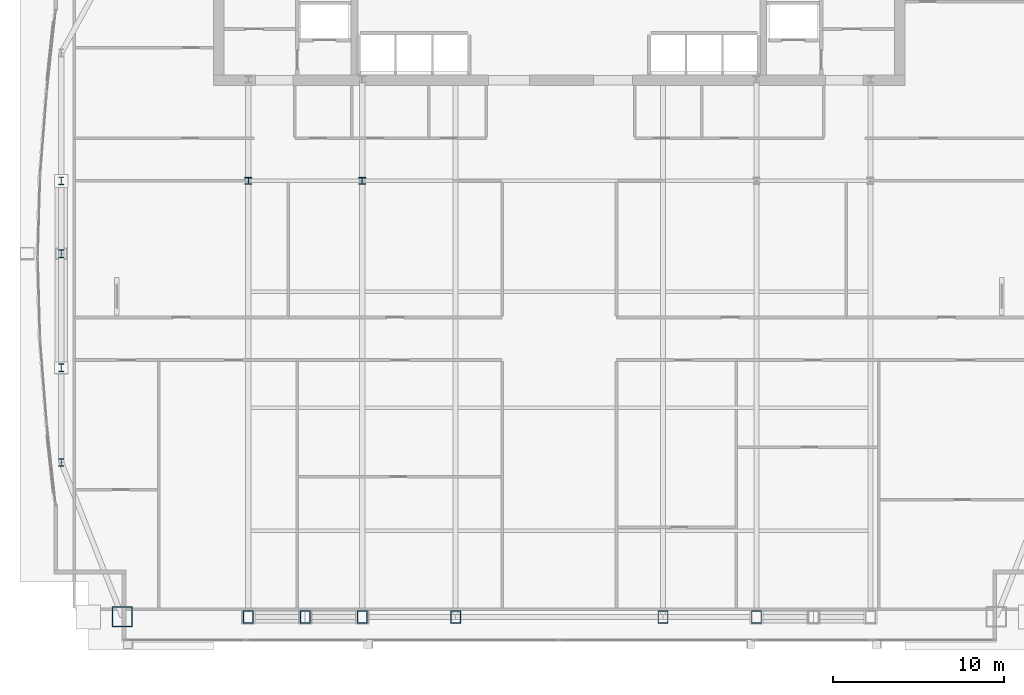
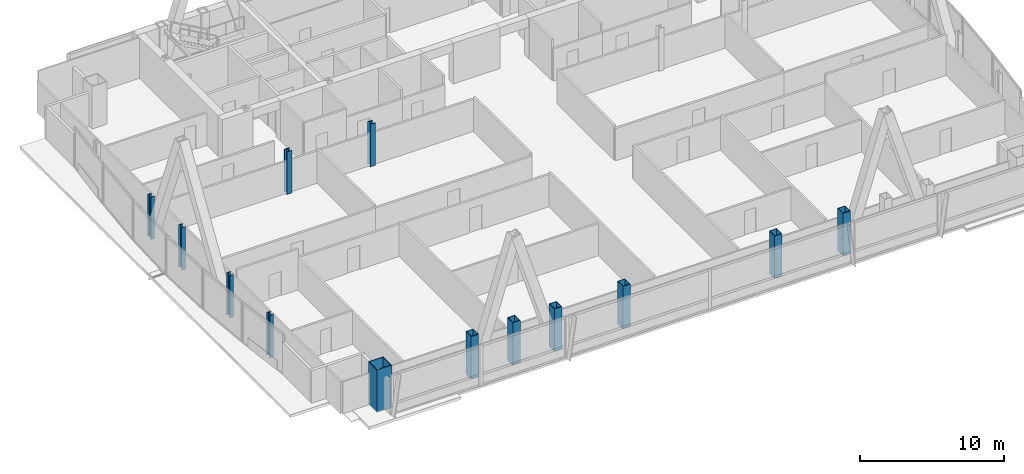
# One storey, part 1 of 32: 13 columns.
"""IFC4 building model written with IfcOpenShell, lengths in metres."""

from ifc_helpers import new_model, si_unit, direction, frame, origin, origin_2d, place, context, subcontext, project, spatial, hollow_rectangle, i_section, extrude, material, material_profile, profile_set, type_object, element, save


model = new_model("IFC4")

# Units and contexts
model_context = context("Model", 3, precision=1e-05, world=origin(), true_north=direction((0.0, 1.0)))
body_context = subcontext(model_context, "Body", "Model", "MODEL_VIEW")
ifc_project = project(units=[si_unit("LENGTHUNIT", "METRE"), si_unit("AREAUNIT", "SQUARE_METRE"), si_unit("VOLUMEUNIT", "CUBIC_METRE"), si_unit("PLANEANGLEUNIT", "RADIAN"), si_unit("MASSUNIT", "GRAM", prefix="KILO")], contexts=[model_context])

# Site, building, storey
site_placement = place(None, origin())
site = spatial("IfcSite", under=ifc_project, at=site_placement, CompositionType="ELEMENT")
building_placement = place(site_placement, origin())
building = spatial("IfcBuilding", under=site, at=building_placement, Name="Khoronbel Lancet Exchange", CompositionType="ELEMENT")
storey_placement = place(building_placement, frame((0.0, 0.0, 188.60009765625)))
storey = spatial("IfcBuildingStorey", under=building, at=storey_placement, Name="L47", CompositionType="ELEMENT", Elevation=188.60009765625)

# Columns
ifc_material_1 = material(Name="Steel S460", Category="steel")
ifc_material_profile_1 = material_profile(ifc_material_1, hollow_rectangle(XDim=0.60009765625, YDim=0.75, WallThickness=0.044921875, at=origin_2d()), Name="BOX 750x600x45")
ifc_profile_set_1 = profile_set([ifc_material_profile_1], Name="Steel S460")
column_type_1 = type_object("IfcColumnType", Name="COL-EC3", PredefinedType="COLUMN", material=ifc_profile_set_1)
for number, where, z_axis, x_axis, name in (
    (1, (18.22509765625, 10.14990234375, 0.0), (0.0, 0.0, 1.0), (1.0, 0.0, 0.0), "Structural column SC-W1 L47"),
    (2, (21.5625, 10.14990234375, 0.0), (0.0, 0.0, 1.0), (1.0, 0.0, 0.0), "Structural column SC-WM L47"),
    (3, (24.89990234375, 10.14990234375, 0.0), (0.0, 0.0, 1.0), (1.0, 0.0, 0.0), "Structural column SC-W2 L47"),
    (4, (30.375, 10.14990234375, 0.0), (0.0, 0.0, 1.0), (1.0, 0.0, 0.0), "Structural column SC-C1 L47"),
    (5, (42.52490234375, 10.14990234375, 0.0), (0.0, 0.0, 1.0), (1.0, 0.0, 0.0), "Structural column SC-C2 L47"),
    (6, (48.0, 10.14990234375, 0.0), (0.0, 0.0, 1.0), (1.0, 0.0, 0.0), "Structural column SC-E1 L47"),
):
    element("IfcColumn", number, at=place(storey_placement, frame(where, z_axis=z_axis, x_axis=x_axis)), inside=storey, type_object=column_type_1, Name=name, PredefinedType="COLUMN", context=body_context, shape_type="SweptSolid", body=[
        extrude(hollow_rectangle(XDim=0.60009765625, YDim=0.75, WallThickness=0.044921875, at=origin_2d()), origin(), (0.0, 0.0, 1.0), 3.599853515625),
    ])
ifc_material_2 = material(Name="Steel S355", Category="steel")
ifc_material_profile_2 = material_profile(ifc_material_2, i_section(OverallWidth=0.406005859375, OverallDepth=0.416015625, WebThickness=0.02978515625, FlangeThickness=0.048095703125, at=origin_2d()), Name="HD 400x382")
ifc_profile_set_2 = profile_set([ifc_material_profile_2], Name="Steel S355")
column_type_2 = type_object("IfcColumnType", Name="COL-IC3", PredefinedType="COLUMN", material=ifc_profile_set_2)
for number, where, z_axis, x_axis, name in (
    (7, (18.22509765625, 35.699951171875, 0.0), (0.0, 0.0, 1.0), (1.0, 0.0, 0.0), "Spine gravity column TC1 L47"),
    (8, (24.89990234375, 35.699951171875, 0.0), (0.0, 0.0, 1.0), (1.0, 0.0, 0.0), "Spine gravity column TC2 L47"),
):
    element("IfcColumn", number, at=place(storey_placement, frame(where, z_axis=z_axis, x_axis=x_axis)), inside=storey, type_object=column_type_2, Name=name, PredefinedType="COLUMN", context=body_context, shape_type="SweptSolid", body=[
        extrude(i_section(OverallWidth=0.406005859375, OverallDepth=0.416015625, WebThickness=0.02978515625, FlangeThickness=0.048095703125, at=origin_2d()), origin(), (0.0, 0.0, 1.0), 3.599853515625),
    ])
ifc_material_profile_3 = material_profile(ifc_material_2, i_section(OverallWidth=0.300048828125, OverallDepth=0.449951171875, WebThickness=0.013916015625, FlangeThickness=0.02587890625, at=origin_2d()), Name="HEB 450")
ifc_profile_set_3 = profile_set([ifc_material_profile_3], Name="Steel S355")
column_type_3 = type_object("IfcColumnType", Name="COL-LC2", PredefinedType="COLUMN", material=ifc_profile_set_3)
for number, where, z_axis, x_axis, name in (
    (9, (7.27001953125, 19.199951171875, 0.0), (0.0, 0.0, 1.0), (1.0, 0.0, 0.0), "Structural column WC-1 L47"),
    (10, (7.27001953125, 24.75, 0.0), (0.0, 0.0, 1.0), (1.0, 0.0, 0.0), "Structural column WC-2 L47"),
    (11, (7.27001953125, 31.425048828125, 0.0), (0.0, 0.0, 1.0), (1.0, 0.0, 0.0), "Structural column WC-M L47"),
    (12, (7.27001953125, 35.699951171875, 0.0), (0.0, 0.0, 1.0), (1.0, 0.0, 0.0), "Structural column WC-3 L47"),
):
    element("IfcColumn", number, at=place(storey_placement, frame(where, z_axis=z_axis, x_axis=x_axis)), inside=storey, type_object=column_type_3, Name=name, PredefinedType="COLUMN", context=body_context, shape_type="SweptSolid", body=[
        extrude(i_section(OverallWidth=0.300048828125, OverallDepth=0.449951171875, WebThickness=0.013916015625, FlangeThickness=0.02587890625, at=origin_2d()), origin(), (0.0, 0.0, 1.0), 3.599853515625),
    ])
ifc_material_profile_4 = material_profile(ifc_material_1, hollow_rectangle(XDim=1.199951171875, YDim=1.199951171875, WallThickness=0.06005859375, at=origin_2d()), Name="BOX 1200x1200x60")
ifc_profile_set_4 = profile_set([ifc_material_profile_4], Name="Steel S460")
column_type_4 = type_object("IfcColumnType", Name="COL-MC5", PredefinedType="COLUMN", material=ifc_profile_set_4)
column_placement = place(storey_placement, frame((10.85009765625, 10.14990234375, 0.0), z_axis=(0.0, 0.0, 1.0), x_axis=(1.0, 0.0, 0.0)))
element("IfcColumn", 13, at=column_placement, inside=storey, type_object=column_type_4, Name="Structural column MC-SW L47", PredefinedType="COLUMN", context=body_context, shape_type="SweptSolid", body=[
    extrude(hollow_rectangle(XDim=1.199951171875, YDim=1.199951171875, WallThickness=0.06005859375, at=origin_2d()), origin(), (0.0, 0.0, 1.0), 3.599853515625),
])

save(model, "model.ifc")
